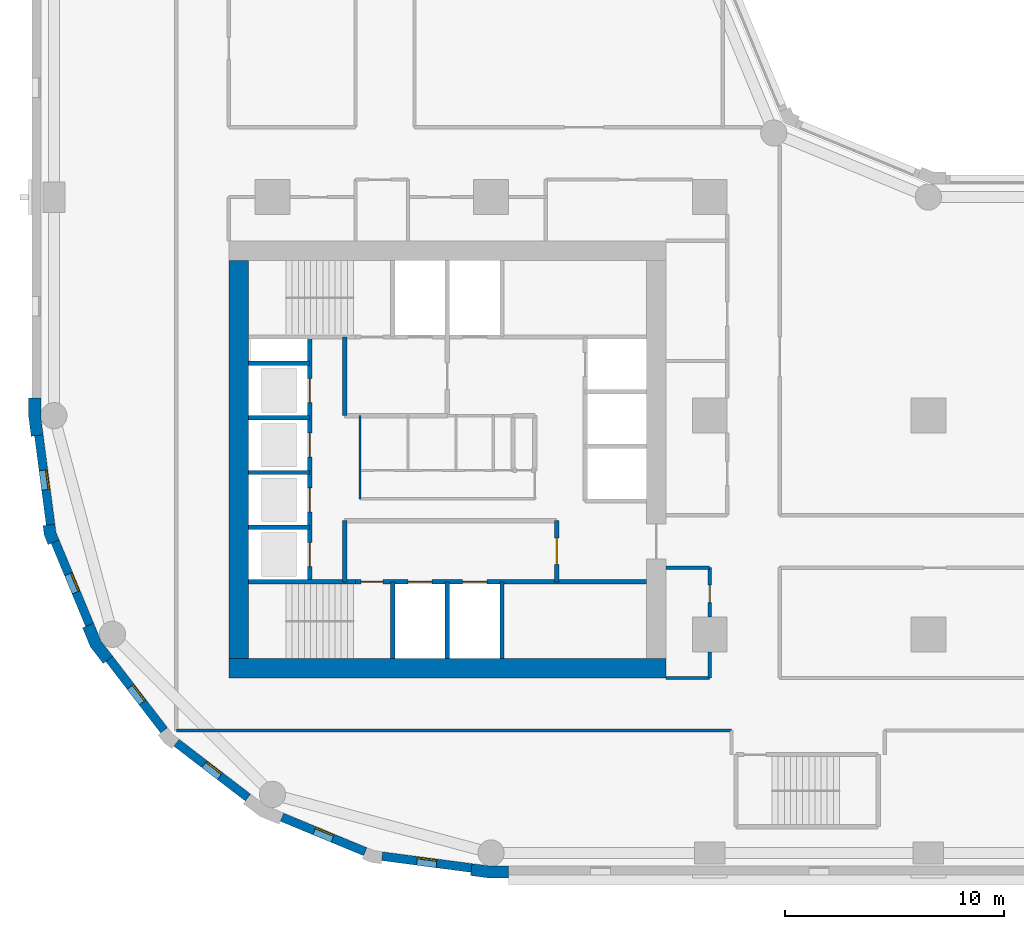
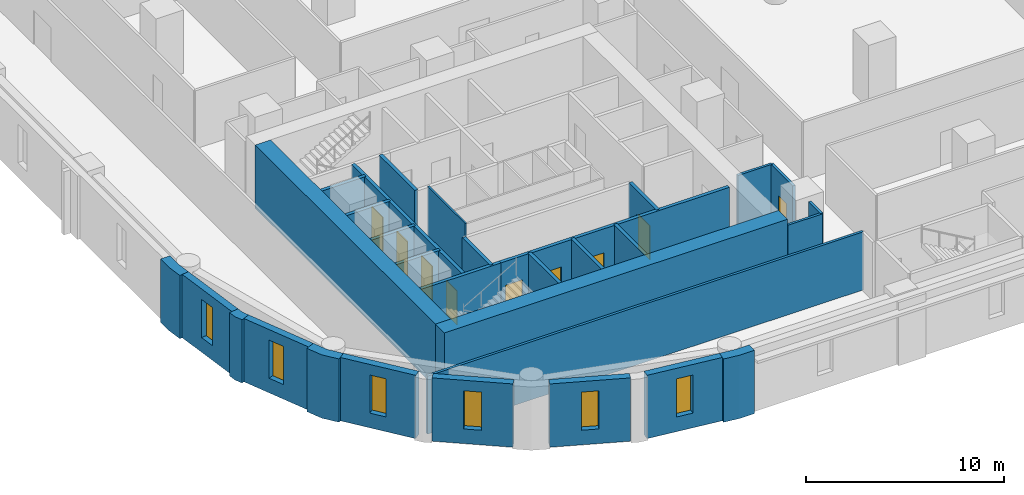
# One storey, part 2 of 10: 31 walls, 9 doors, 6 windows, 15 openings.
"""IFC4 building model written with IfcOpenShell, lengths in metres."""

import ifcopenshell
import ifcopenshell.guid

model = None  # the IFC model being written
_history = None  # IfcOwnerHistory: only IFC2X3 demands one
_inside = {}  # id of a spatial element -> (the spatial element, [elements in it])
_under = {}  # id of a project, library or spatial element -> (it, [spatial elements below it])
_declared = {}  # id of a project -> (the project, [libraries it declares])
_typed = {}  # id of a type object -> (the type object, [elements of that type])
_made_of = {}  # id of a material, layer set ... -> (it, [elements and type objects made of it])


def new_model(schema):
    """Start an empty IFC model of exactly this schema.

    Asked for "IFC4X3", IfcOpenShell would pick the latest addendum, in which some entities
    have other attributes; the version numbers below select the first issue.
    IFC2X3 requires an IfcOwnerHistory on every rooted entity: one is made here for all.
    """
    global model, _history
    if schema == "IFC4X3":
        model = ifcopenshell.file(schema_version=(4, 3, 0, 0))
    else:
        model = ifcopenshell.file(schema=schema)
    _inside.clear()
    _under.clear()
    _declared.clear()
    _typed.clear()
    _made_of.clear()
    _history = None
    if model.schema == "IFC2X3":
        org = make("IfcOrganization", Name="unknown")
        user = make(
            "IfcPersonAndOrganization",
            ThePerson=make("IfcPerson", FamilyName="unknown"),
            TheOrganization=org,
        )
        app = make(
            "IfcApplication",
            ApplicationDeveloper=org,
            Version="unknown",
            ApplicationFullName="unknown",
            ApplicationIdentifier="unknown",
        )
        _history = make(
            "IfcOwnerHistory",
            OwningUser=user,
            OwningApplication=app,
            ChangeAction="ADDED",
            CreationDate=0,
        )
    return model


def make(cls, **values):
    """One entity of the class cls with the attributes given. An attribute that is None is left unset."""
    return model.create_entity(
        cls, **{name: value for name, value in values.items() if value is not None}
    )


def rooted(cls, **values):
    """An entity with a GlobalId (a new one), such as an element, a storey or a relation."""
    return make(cls, GlobalId=ifcopenshell.guid.new(), OwnerHistory=_history, **values)


def si_unit(unit_type, name, prefix=None):
    """IfcSIUnit, for example si_unit("LENGTHUNIT", "METRE", prefix="MILLI")."""
    return make("IfcSIUnit", UnitType=unit_type, Prefix=prefix, Name=name)


def assignment(units):
    """IfcUnitAssignment: the units of a project."""
    return None if units is None else make("IfcUnitAssignment", Units=units)


def point(xyz):
    """IfcCartesianPoint."""
    return None if xyz is None else make("IfcCartesianPoint", Coordinates=xyz)


def direction(xyz):
    """IfcDirection."""
    return None if xyz is None else make("IfcDirection", DirectionRatios=xyz)


def frame(location, z_axis=None, x_axis=None):
    """IfcAxis2Placement3D, a coordinate frame: its origin and axes. An axis left out is left unset."""
    return make(
        "IfcAxis2Placement3D",
        Location=point(location),
        Axis=direction(z_axis),
        RefDirection=direction(x_axis),
    )


def frame_2d(location, x_axis=None):
    """IfcAxis2Placement2D, a coordinate frame in the plane: its origin and x axis."""
    return make(
        "IfcAxis2Placement2D", Location=point(location), RefDirection=direction(x_axis)
    )


def origin():
    """The frame at (0, 0, 0) with its axes left unset."""
    return frame((0.0, 0.0, 0.0))


def place(relative_to, where):
    """IfcLocalPlacement: puts the frame where relative to a parent placement (None: the world)."""
    return make(
        "IfcLocalPlacement", PlacementRelTo=relative_to, RelativePlacement=where
    )


def context(
    kind, dimensions, precision=None, world=None, true_north=None, identifier=None
):
    """IfcGeometricRepresentationContext, for example the 3D "Model" context."""
    return make(
        "IfcGeometricRepresentationContext",
        ContextIdentifier=identifier,
        ContextType=kind,
        CoordinateSpaceDimension=dimensions,
        Precision=precision,
        WorldCoordinateSystem=world,
        TrueNorth=true_north,
    )


def subcontext(parent, identifier, kind, view, scale=None):
    """IfcGeometricRepresentationSubContext, for example "Body" below "Model"."""
    return make(
        "IfcGeometricRepresentationSubContext",
        ContextIdentifier=identifier,
        ContextType=kind,
        ParentContext=parent,
        TargetScale=scale,
        TargetView=view,
    )


def project(units=None, contexts=None):
    """IfcProject with its units and contexts."""
    return rooted(
        "IfcProject",
        Name="project",
        RepresentationContexts=contexts,
        UnitsInContext=assignment(units),
    )


def spatial(cls, under=None, at=None, **own):
    """A site, building, storey or space (cls), placed at a placement, below another one or the project."""
    s = rooted(cls, ObjectPlacement=at, **own)
    if under is not None:
        _under.setdefault(under.id(), (under, []))[1].append(s)
    return s


def polyline(points):
    """IfcPolyline through the points."""
    return make("IfcPolyline", Points=[point(p) for p in points])


def profile(cls, at=None, kind="AREA", **sizes):
    """A parametric profile (cls). Its sizes go by their IFC names, for example OverallWidth=200.0."""
    return make(cls, ProfileType=kind, Position=at, **sizes)


def rectangle(**sizes):
    """IfcRectangleProfileDef."""
    return profile("IfcRectangleProfileDef", **sizes)


def outline(outer, holes=None, kind="AREA"):
    """IfcArbitraryClosedProfileDef: a profile drawn as a closed curve; with holes, ...WithVoids."""
    if holes is None:
        return make("IfcArbitraryClosedProfileDef", ProfileType=kind, OuterCurve=outer)
    return make(
        "IfcArbitraryProfileDefWithVoids",
        ProfileType=kind,
        OuterCurve=outer,
        InnerCurves=holes,
    )


def extrude(swept, where, along, depth):
    """IfcExtrudedAreaSolid: the profile swept, set in the frame where, extruded along a direction by depth."""
    return make(
        "IfcExtrudedAreaSolid",
        SweptArea=swept,
        Position=where,
        ExtrudedDirection=direction(along),
        Depth=depth,
    )


def shape(context_of_items, identifier, shape_type, items):
    """IfcShapeRepresentation: the items that make up one representation, for example the "Body"."""
    return make(
        "IfcShapeRepresentation",
        ContextOfItems=context_of_items,
        RepresentationIdentifier=identifier,
        RepresentationType=shape_type,
        Items=items,
    )


def material(Name=None, Category=None):
    """IfcMaterial."""
    return make("IfcMaterial", Name=Name, Category=Category)


def layer(
    of_material, thickness, ventilated=None, Name=None, Category=None, Priority=None
):
    """IfcMaterialLayer: one layer of a wall or slab, of a material (None: an air gap)."""
    return make(
        "IfcMaterialLayer",
        Material=of_material,
        LayerThickness=thickness,
        IsVentilated=ventilated,
        Name=Name,
        Category=Category,
        Priority=Priority,
    )


def layer_set(layers, Name=None):
    """IfcMaterialLayerSet."""
    return make("IfcMaterialLayerSet", MaterialLayers=layers, LayerSetName=Name)


def made_of(thing, what):
    """Note that an element or type object is made of a material, layer set ...; save() writes the relation."""
    if what is not None:
        _made_of.setdefault(what.id(), (what, []))[1].append(thing)
    return thing


def type_object(cls, material=None, **own):
    """A type object (cls), such as IfcWallType, which elements share."""
    return made_of(rooted(cls, **own), material)


def element(
    cls,
    number,
    at=None,
    inside=None,
    cuts=None,
    type_object=None,
    material=None,
    context=None,
    identifier="Body",
    shape_type=None,
    held_by="IfcProductDefinitionShape",
    body=None,
    shapes=None,
    **own,
):
    """One element of the class cls, such as IfcWall. Its Tag is "e" and its number.

    at: its placement. inside: the storey or other place that contains it. cuts: it is an
    opening in that element (IfcRelVoidsElement). A single representation is given by context,
    identifier, shape_type and body (its items); several are given by shapes. held_by: the class
    of the entity that holds the representations. save() writes the other relations.
    """
    e = rooted(cls, Tag="e%d" % number, ObjectPlacement=at, **own)
    if body is not None:
        shapes = [shape(context, identifier, shape_type, body)]
    if shapes is not None:
        e.Representation = make(held_by, Representations=shapes)
    if inside is not None:
        _inside.setdefault(inside.id(), (inside, []))[1].append(e)
    if cuts is not None:
        rooted(
            "IfcRelVoidsElement", RelatingBuildingElement=cuts, RelatedOpeningElement=e
        )
    if type_object is not None:
        _typed.setdefault(type_object.id(), (type_object, []))[1].append(e)
    return made_of(e, material)


def fill(opening, filler):
    """IfcRelFillsElement: the door or window that sits in an opening."""
    return rooted(
        "IfcRelFillsElement",
        RelatingOpeningElement=opening,
        RelatedBuildingElement=filler,
    )


def aggregate(whole, parts):
    """IfcRelAggregates: a whole, such as a stair, and the parts it consists of."""
    return rooted("IfcRelAggregates", RelatingObject=whole, RelatedObjects=parts)


def save(model, path):
    """Write the relations noted so far, then the file.

    IfcRelAggregates (storeys below a building ...), IfcRelContainedInSpatialStructure (elements
    in a storey), IfcRelDefinesByType, IfcRelAssociatesMaterial and IfcRelDeclares: one each for
    every whole, place, type object, material and project.
    """
    for whole, parts in _under.values():
        aggregate(whole, parts)
    for where, things in _inside.values():
        rooted(
            "IfcRelContainedInSpatialStructure",
            RelatedElements=things,
            RelatingStructure=where,
        )
    for kind, things in _typed.values():
        rooted("IfcRelDefinesByType", RelatedObjects=things, RelatingType=kind)
    for what, things in _made_of.values():
        rooted("IfcRelAssociatesMaterial", RelatedObjects=things, RelatingMaterial=what)
    for by, libraries in _declared.values():
        rooted("IfcRelDeclares", RelatingContext=by, RelatedDefinitions=libraries)
    model.write(path)


model = new_model("IFC4")

# Units and contexts
model_context = context("Model", 3, precision=1e-05, world=origin(), true_north=direction((0.0, 1.0)))
body_context = subcontext(model_context, "Body", "Model", "MODEL_VIEW")
ifc_project = project(units=[si_unit("LENGTHUNIT", "METRE"), si_unit("AREAUNIT", "SQUARE_METRE"), si_unit("VOLUMEUNIT", "CUBIC_METRE"), si_unit("PLANEANGLEUNIT", "RADIAN"), si_unit("MASSUNIT", "GRAM", prefix="KILO")], contexts=[model_context])

# Site, building, storey
site_placement = place(None, origin())
site = spatial("IfcSite", under=ifc_project, at=site_placement, CompositionType="ELEMENT")
building_placement = place(site_placement, origin())
building = spatial("IfcBuilding", under=site, at=building_placement, Name="Qaws Garden Tower", CompositionType="ELEMENT")
storey_placement = place(building_placement, frame((0.0, 0.0, 39.300048828125)))
storey = spatial("IfcBuildingStorey", under=building, at=storey_placement, Name="L09", CompositionType="ELEMENT", Elevation=39.300048828125)

# Wall, opening, window
ifc_material_1 = material(Name="Clay facing brick masonry", Category="masonry")
ifc_layer_1 = layer(ifc_material_1, 0.39990234375)
ifc_layer_set_1 = layer_set([ifc_layer_1], Name="Clay facing brick masonry")
wall_type_1 = type_object("IfcWallType", Name="Brick infill wall 400", PredefinedType="SOLIDWALL", material=ifc_layer_set_1)
wall_1_placement = place(storey_placement, frame((-0.688720703125, 19.102294921875, 0.0), z_axis=(0.0, 0.0, 1.0), x_axis=(0.130514280502, -0.991446429508, 0.0)))
wall_1 = element("IfcWall", 1, at=wall_1_placement, inside=storey, type_object=wall_type_1, Name="E-L09-infill-27", PredefinedType="SOLIDWALL", context=body_context, shape_type="SweptSolid", body=[
    extrude(rectangle(XDim=4.120849609375, YDim=0.39990234375, at=frame_2d((2.060546875, 0.0))), origin(), (0.0, 0.0, 1.0), 3.89990234375),
])
opening_1_placement = place(wall_1_placement, frame((1.610595703125, 0.0, 0.89990234375)))
opening_1 = element("IfcOpeningElement", 2, at=opening_1_placement, cuts=wall_1, Name="Opening W09", PredefinedType="OPENING", context=body_context, shape_type="SweptSolid", body=[
    extrude(rectangle(XDim=0.89990234375, YDim=2.35009765625, at=frame_2d((0.449951171875, 1.175048828125))), frame((0.0, 0.2099609375, 0.0), z_axis=(0.0, -1.0, 0.0), x_axis=(1.0, 0.0, 0.0)), (0.0, 0.0, 1.0), 0.419921875),
])
ifc_material_2 = material(Name="Aluminium framed window, clear glazing", Category="aluminium")
window_type = type_object("IfcWindowType", Name="Slit window 900 x 2350", PartitioningType="SINGLE_PANEL", PredefinedType="WINDOW", material=ifc_material_2)
window_1_placement = place(opening_1_placement, origin())
window_1 = element("IfcWindow", 3, at=window_1_placement, inside=storey, type_object=window_type, Name="E-L09-window-27-0", OverallHeight=2.35009765625, OverallWidth=0.89990234375, PartitioningType="SINGLE_PANEL", PredefinedType="WINDOW", context=body_context, shape_type="SweptSolid", body=[
    extrude(rectangle(XDim=0.89990234375, YDim=2.35009765625, at=frame_2d((0.449951171875, 1.175048828125))), frame((0.0, 0.159912109375, 0.0), z_axis=(0.0, -1.0, 0.0), x_axis=(1.0, 0.0, 0.0)), (0.0, 0.0, 1.0), 0.06005859375),
])
fill(opening_1, window_1)

wall_2_placement = place(storey_placement, frame((0.05712890625, 14.240234375, 0.0), z_axis=(0.0, 0.0, 1.0), x_axis=(0.382721546029, -0.923863744394, 0.0)))
wall_2 = element("IfcWall", 4, at=wall_2_placement, inside=storey, type_object=wall_type_1, Name="E-L09-infill-28", PredefinedType="SOLIDWALL", context=body_context, shape_type="SweptSolid", body=[
    extrude(rectangle(XDim=4.120849609375, YDim=0.39990234375, at=frame_2d((2.060546875, 0.0))), origin(), (0.0, 0.0, 1.0), 3.89990234375),
])
opening_2_placement = place(wall_2_placement, frame((1.610595703125, 0.0, 0.89990234375)))
opening_2 = element("IfcOpeningElement", 5, at=opening_2_placement, cuts=wall_2, Name="Opening W09", PredefinedType="OPENING", context=body_context, shape_type="SweptSolid", body=[
    extrude(rectangle(XDim=0.89990234375, YDim=2.35009765625, at=frame_2d((0.449951171875, 1.175048828125))), frame((0.0, 0.2099609375, 0.0), z_axis=(0.0, -1.0, 0.0), x_axis=(1.0, 0.0, 0.0)), (0.0, 0.0, 1.0), 0.419921875),
])
window_2_placement = place(opening_2_placement, origin())
window_2 = element("IfcWindow", 6, at=window_2_placement, inside=storey, type_object=window_type, Name="E-L09-window-28-0", OverallHeight=2.35009765625, OverallWidth=0.89990234375, PartitioningType="SINGLE_PANEL", PredefinedType="WINDOW", context=body_context, shape_type="SweptSolid", body=[
    extrude(rectangle(XDim=0.89990234375, YDim=2.35009765625, at=frame_2d((0.449951171875, 1.175048828125))), frame((0.0, 0.159912109375, 0.0), z_axis=(0.0, -1.0, 0.0), x_axis=(1.0, 0.0, 0.0)), (0.0, 0.0, 1.0), 0.06005859375),
])
fill(opening_2, window_2)

wall_3_placement = place(storey_placement, frame((2.53173828125, 8.87841796875, 0.0), z_axis=(0.0, 0.0, 1.0), x_axis=(0.608759824817, -0.793354571229, 0.0)))
wall_3 = element("IfcWall", 7, at=wall_3_placement, inside=storey, type_object=wall_type_1, Name="E-L09-infill-29", PredefinedType="SOLIDWALL", context=body_context, shape_type="SweptSolid", body=[
    extrude(rectangle(XDim=4.12109375, YDim=0.39990234375, at=frame_2d((2.060546875, 0.0))), origin(), (0.0, 0.0, 1.0), 3.89990234375),
])
opening_3_placement = place(wall_3_placement, frame((1.610595703125, 0.0, 0.89990234375)))
opening_3 = element("IfcOpeningElement", 8, at=opening_3_placement, cuts=wall_3, Name="Opening W09", PredefinedType="OPENING", context=body_context, shape_type="SweptSolid", body=[
    extrude(rectangle(XDim=0.89990234375, YDim=2.35009765625, at=frame_2d((0.449951171875, 1.175048828125))), frame((0.0, 0.2099609375, 0.0), z_axis=(0.0, -1.0, 0.0), x_axis=(1.0, 0.0, 0.0)), (0.0, 0.0, 1.0), 0.419921875),
])
window_3_placement = place(opening_3_placement, origin())
window_3 = element("IfcWindow", 9, at=window_3_placement, inside=storey, type_object=window_type, Name="E-L09-window-29-0", OverallHeight=2.35009765625, OverallWidth=0.89990234375, PartitioningType="SINGLE_PANEL", PredefinedType="WINDOW", context=body_context, shape_type="SweptSolid", body=[
    extrude(rectangle(XDim=0.89990234375, YDim=2.35009765625, at=frame_2d((0.449951171875, 1.175048828125))), frame((0.0, 0.159912109375, 0.0), z_axis=(0.0, -1.0, 0.0), x_axis=(1.0, 0.0, 0.0)), (0.0, 0.0, 1.0), 0.06005859375),
])
fill(opening_3, window_3)

wall_4_placement = place(storey_placement, frame((5.60888671875, 5.04052734375, 0.0), z_axis=(0.0, 0.0, 1.0), x_axis=(0.793354571229, -0.608759824817, 0.0)))
wall_4 = element("IfcWall", 10, at=wall_4_placement, inside=storey, type_object=wall_type_1, Name="E-L09-infill-30", PredefinedType="SOLIDWALL", context=body_context, shape_type="SweptSolid", body=[
    extrude(rectangle(XDim=4.12109375, YDim=0.39990234375, at=frame_2d((2.060546875, 0.0))), origin(), (0.0, 0.0, 1.0), 3.89990234375),
])
opening_4_placement = place(wall_4_placement, frame((1.610595703125, 0.0, 0.89990234375)))
opening_4 = element("IfcOpeningElement", 11, at=opening_4_placement, cuts=wall_4, Name="Opening W09", PredefinedType="OPENING", context=body_context, shape_type="SweptSolid", body=[
    extrude(rectangle(XDim=0.89990234375, YDim=2.35009765625, at=frame_2d((0.449951171875, 1.175048828125))), frame((0.0, 0.2099609375, 0.0), z_axis=(0.0, -1.0, 0.0), x_axis=(1.0, 0.0, 0.0)), (0.0, 0.0, 1.0), 0.419921875),
])
window_4_placement = place(opening_4_placement, origin())
window_4 = element("IfcWindow", 12, at=window_4_placement, inside=storey, type_object=window_type, Name="E-L09-window-30-0", OverallHeight=2.35009765625, OverallWidth=0.89990234375, PartitioningType="SINGLE_PANEL", PredefinedType="WINDOW", context=body_context, shape_type="SweptSolid", body=[
    extrude(rectangle(XDim=0.89990234375, YDim=2.35009765625, at=frame_2d((0.449951171875, 1.175048828125))), frame((0.0, 0.159912109375, 0.0), z_axis=(0.0, -1.0, 0.0), x_axis=(1.0, 0.0, 0.0)), (0.0, 0.0, 1.0), 0.06005859375),
])
fill(opening_4, window_4)

wall_5_placement = place(storey_placement, frame((10.43310546875, 1.63427734375, 0.0), z_axis=(0.0, 0.0, 1.0), x_axis=(0.923863744394, -0.382721546029, 0.0)))
wall_5 = element("IfcWall", 13, at=wall_5_placement, inside=storey, type_object=wall_type_1, Name="E-L09-infill-31", PredefinedType="SOLIDWALL", context=body_context, shape_type="SweptSolid", body=[
    extrude(rectangle(XDim=4.120849609375, YDim=0.39990234375, at=frame_2d((2.060546875, 0.0))), origin(), (0.0, 0.0, 1.0), 3.89990234375),
])
opening_5_placement = place(wall_5_placement, frame((1.610595703125, 0.0, 0.89990234375)))
opening_5 = element("IfcOpeningElement", 14, at=opening_5_placement, cuts=wall_5, Name="Opening W09", PredefinedType="OPENING", context=body_context, shape_type="SweptSolid", body=[
    extrude(rectangle(XDim=0.89990234375, YDim=2.35009765625, at=frame_2d((0.449951171875, 1.175048828125))), frame((0.0, 0.2099609375, 0.0), z_axis=(0.0, -1.0, 0.0), x_axis=(1.0, 0.0, 0.0)), (0.0, 0.0, 1.0), 0.419921875),
])
window_5_placement = place(opening_5_placement, origin())
window_5 = element("IfcWindow", 15, at=window_5_placement, inside=storey, type_object=window_type, Name="E-L09-window-31-0", OverallHeight=2.35009765625, OverallWidth=0.89990234375, PartitioningType="SINGLE_PANEL", PredefinedType="WINDOW", context=body_context, shape_type="SweptSolid", body=[
    extrude(rectangle(XDim=0.89990234375, YDim=2.35009765625, at=frame_2d((0.449951171875, 1.175048828125))), frame((0.0, 0.159912109375, 0.0), z_axis=(0.0, -1.0, 0.0), x_axis=(1.0, 0.0, 0.0)), (0.0, 0.0, 1.0), 0.06005859375),
])
fill(opening_5, window_5)

wall_6_placement = place(storey_placement, frame((15.0166015625, -0.15087890625, 0.0), z_axis=(0.0, 0.0, 1.0), x_axis=(0.991446429508, -0.130514280502, 0.0)))
wall_6 = element("IfcWall", 16, at=wall_6_placement, inside=storey, type_object=wall_type_1, Name="E-L09-infill-32", PredefinedType="SOLIDWALL", context=body_context, shape_type="SweptSolid", body=[
    extrude(rectangle(XDim=4.120849609375, YDim=0.39990234375, at=frame_2d((2.060546875, 0.0))), origin(), (0.0, 0.0, 1.0), 3.89990234375),
])
opening_6_placement = place(wall_6_placement, frame((1.610595703125, 0.0, 0.89990234375)))
opening_6 = element("IfcOpeningElement", 17, at=opening_6_placement, cuts=wall_6, Name="Opening W09", PredefinedType="OPENING", context=body_context, shape_type="SweptSolid", body=[
    extrude(rectangle(XDim=0.89990234375, YDim=2.35009765625, at=frame_2d((0.449951171875, 1.175048828125))), frame((0.0, 0.2099609375, 0.0), z_axis=(0.0, -1.0, 0.0), x_axis=(1.0, 0.0, 0.0)), (0.0, 0.0, 1.0), 0.419921875),
])
window_6_placement = place(opening_6_placement, origin())
window_6 = element("IfcWindow", 18, at=window_6_placement, inside=storey, type_object=window_type, Name="E-L09-window-32-0", OverallHeight=2.35009765625, OverallWidth=0.89990234375, PartitioningType="SINGLE_PANEL", PredefinedType="WINDOW", context=body_context, shape_type="SweptSolid", body=[
    extrude(rectangle(XDim=0.89990234375, YDim=2.35009765625, at=frame_2d((0.449951171875, 1.175048828125))), frame((0.0, 0.159912109375, 0.0), z_axis=(0.0, -1.0, 0.0), x_axis=(1.0, 0.0, 0.0)), (0.0, 0.0, 1.0), 0.06005859375),
])
fill(opening_6, window_6)

# Walls
ifc_material_3 = material(Name="Clay facing brick masonry", Category="masonry")
ifc_layer_2 = layer(ifc_material_3, 0.550048828125)
ifc_layer_set_2 = layer_set([ifc_layer_2], Name="Clay facing brick masonry")
wall_type_2 = type_object("IfcWallType", Name="Brick kink pier 550 x 600", PredefinedType="SOLIDWALL", material=ifc_layer_set_2)
placement = place(storey_placement, origin())
element("IfcWall", 19, at=placement, inside=storey, type_object=wall_type_2, Name="E-L09-pier-28", PredefinedType="SOLIDWALL", context=body_context, shape_type="SweptSolid", body=[
    extrude(outline(polyline([(-0.34912109375, 14.990478515625), (-0.497802734375, 14.970947265625), (-0.43896484375, 14.5234375), (-0.26611328125, 14.1064453125), (-0.127685546875, 14.163818359375), (0.241943359375, 14.31689453125), (0.096923828125, 14.6669921875), (0.04736328125, 15.042724609375), (-0.34912109375, 14.990478515625)])), origin(), (0.0, 0.0, 1.0), 3.89990234375),
])
ifc_material_4 = material(Name="Clay facing brick masonry", Category="masonry")
ifc_layer_3 = layer(ifc_material_4, 0.550048828125)
ifc_layer_set_3 = layer_set([ifc_layer_3], Name="Clay facing brick masonry")
wall_type_3 = type_object("IfcWallType", Name="Brick pier 550 x 1600", PredefinedType="SOLIDWALL", material=ifc_layer_set_3)
element("IfcWall", 20, at=placement, inside=storey, type_object=wall_type_3, Name="E-L09-pier-00", PredefinedType="SOLIDWALL", context=body_context, shape_type="SweptSolid", body=[
    extrude(outline(polyline([(19.076416015625, -0.886962890625), (19.056640625, -1.03564453125), (19.924560546875, -1.14990234375), (20.800048828125, -1.14990234375), (20.800048828125, -1.0), (20.800048828125, -0.60009765625), (19.960693359375, -0.60009765625), (19.12841796875, -0.490478515625), (19.076416015625, -0.886962890625)])), origin(), (0.0, 0.0, 1.0), 3.89990234375),
])
element("IfcWall", 21, at=placement, inside=storey, type_object=wall_type_3, Name="E-L09-pier-27", PredefinedType="SOLIDWALL", context=body_context, shape_type="SweptSolid", body=[
    extrude(outline(polyline([(-1.0, 20.800048828125), (-1.14990234375, 20.800048828125), (-1.14990234375, 19.924560546875), (-1.03564453125, 19.056640625), (-0.886962890625, 19.076416015625), (-0.490478515625, 19.12841796875), (-0.60009765625, 19.960693359375), (-0.60009765625, 20.800048828125), (-1.0, 20.800048828125)])), origin(), (0.0, 0.0, 1.0), 3.89990234375),
])
element("IfcWall", 22, at=placement, inside=storey, type_object=wall_type_3, Name="E-L09-pier-29", PredefinedType="SOLIDWALL", context=body_context, shape_type="SweptSolid", body=[
    extrude(outline(polyline([(1.449462890625, 10.3564453125), (1.310791015625, 10.299072265625), (1.675048828125, 9.419921875), (2.254150390625, 8.665283203125), (2.373046875, 8.756591796875), (2.6904296875, 9.0), (2.1552734375, 9.697509765625), (1.819091796875, 10.509521484375), (1.449462890625, 10.3564453125)])), origin(), (0.0, 0.0, 1.0), 3.89990234375),
])
ifc_material_5 = material(Name="Plasterboard")
ifc_layer_4 = layer(ifc_material_5, 0.10009765625)
ifc_layer_set_4 = layer_set([ifc_layer_4], Name="Plasterboard")
wall_type_4 = type_object("IfcWallType", Name="Core partition 100", PredefinedType="PARTITIONING", material=ifc_layer_set_4)
wall_11_placement = place(storey_placement, frame((14.0, 16.199951171875, 0.0), z_axis=(0.0, 0.0, 1.0), x_axis=(0.0, 1.0, 0.0)))
element("IfcWall", 23, at=wall_11_placement, inside=storey, type_object=wall_type_4, Name="Core partition", PredefinedType="PARTITIONING", context=body_context, shape_type="SweptSolid", body=[
    extrude(rectangle(XDim=3.800048828125, YDim=0.10009765625, at=frame_2d((1.89990234375, 0.0))), origin(), (0.0, 0.0, 1.0), 3.579833984375),
])
ifc_material_6 = material(Name="Concrete C80", Category="concrete")
ifc_layer_5 = layer(ifc_material_6, 0.199951171875)
ifc_layer_set_5 = layer_set([ifc_layer_5], Name="Concrete C80")
wall_type_5 = type_object("IfcWallType", Name="Core shaft wall 200 C80", PredefinedType="SHEAR", material=ifc_layer_set_5)
wall_12_placement = place(storey_placement, frame((8.89990234375, 12.39990234375, 0.0), z_axis=(0.0, 0.0, 1.0), x_axis=(1.0, 0.0, 0.0)))
element("IfcWall", 24, at=wall_12_placement, inside=storey, type_object=wall_type_5, Name="Shaft wall", PredefinedType="SHEAR", context=body_context, shape_type="SweptSolid", body=[
    extrude(rectangle(XDim=4.900146484375, YDim=0.199951171875, at=frame_2d((2.4501953125, 0.0))), origin(), (0.0, 0.0, 1.0), 3.579833984375),
])

# Wall, openings, doors
wall_13_placement = place(storey_placement, frame((13.800048828125, 12.39990234375, 0.0), z_axis=(0.0, 0.0, 1.0), x_axis=(1.0, 0.0, 0.0)))
wall_13 = element("IfcWall", 25, at=wall_13_placement, inside=storey, type_object=wall_type_5, Name="Shaft wall", PredefinedType="SHEAR", context=body_context, shape_type="SweptSolid", body=[
    extrude(rectangle(XDim=13.300048828125, YDim=0.199951171875, at=frame_2d((6.64990234375, 0.0))), origin(), (0.0, 0.0, 1.0), 3.579833984375),
])
opening_7_placement = place(wall_13_placement, frame((2.39990234375, 0.0, 0.0)))
opening_7 = element("IfcOpeningElement", 26, at=opening_7_placement, cuts=wall_13, Name="Opening LD06", PredefinedType="OPENING", context=body_context, shape_type="SweptSolid", body=[
    extrude(rectangle(XDim=1.10009765625, YDim=2.10009765625, at=frame_2d((0.550048828125, 1.050048828125))), frame((0.0, 0.10986328125, 0.0), z_axis=(0.0, -1.0, 0.0), x_axis=(1.0, 0.0, 0.0)), (0.0, 0.0, 1.0), 0.219970703125),
])
opening_8_placement = place(wall_13_placement, frame((4.89990234375, 0.0, 0.0)))
opening_8 = element("IfcOpeningElement", 27, at=opening_8_placement, cuts=wall_13, Name="Opening LD07", PredefinedType="OPENING", context=body_context, shape_type="SweptSolid", body=[
    extrude(rectangle(XDim=1.10009765625, YDim=2.10009765625, at=frame_2d((0.550048828125, 1.050048828125))), frame((0.0, 0.10986328125, 0.0), z_axis=(0.0, -1.0, 0.0), x_axis=(1.0, 0.0, 0.0)), (0.0, 0.0, 1.0), 0.219970703125),
])
opening_9_placement = place(wall_13_placement, frame((0.25, 0.0, 0.0)))
opening_9 = element("IfcOpeningElement", 28, at=opening_9_placement, cuts=wall_13, Name="Opening SD10", PredefinedType="OPENING", context=body_context, shape_type="SweptSolid", body=[
    extrude(rectangle(XDim=1.0, YDim=2.10009765625, at=frame_2d((0.5, 1.050048828125))), frame((0.0, 0.10986328125, 0.0), z_axis=(0.0, -1.0, 0.0), x_axis=(1.0, 0.0, 0.0)), (0.0, 0.0, 1.0), 0.219970703125),
])
ifc_material_7 = material(Name="Steel S235", Category="steel")
door_type_1 = type_object("IfcDoorType", Name="Landing door 1100x2100", OperationType="DOUBLE_DOOR_SLIDING", PredefinedType="DOOR", material=ifc_material_7)
door_1_placement = place(opening_7_placement, origin())
door_1 = element("IfcDoor", 29, at=door_1_placement, inside=storey, type_object=door_type_1, Name="Lift FF1 landing door", OperationType="DOUBLE_DOOR_SLIDING", OverallHeight=2.10009765625, OverallWidth=1.10009765625, PredefinedType="DOOR", context=body_context, shape_type="SweptSolid", body=[
    extrude(rectangle(XDim=1.10009765625, YDim=2.10009765625, at=frame_2d((0.550048828125, 1.050048828125))), frame((0.0, 0.02490234375, 0.0), z_axis=(0.0, -1.0, 0.0), x_axis=(1.0, 0.0, 0.0)), (0.0, 0.0, 1.0), 0.050048828125),
])
fill(opening_7, door_1)
door_2_placement = place(opening_8_placement, origin())
door_2 = element("IfcDoor", 30, at=door_2_placement, inside=storey, type_object=door_type_1, Name="Lift FF2 landing door", OperationType="DOUBLE_DOOR_SLIDING", OverallHeight=2.10009765625, OverallWidth=1.10009765625, PredefinedType="DOOR", context=body_context, shape_type="SweptSolid", body=[
    extrude(rectangle(XDim=1.10009765625, YDim=2.10009765625, at=frame_2d((0.550048828125, 1.050048828125))), frame((0.0, 0.02490234375, 0.0), z_axis=(0.0, -1.0, 0.0), x_axis=(1.0, 0.0, 0.0)), (0.0, 0.0, 1.0), 0.050048828125),
])
fill(opening_8, door_2)
ifc_material_8 = material(Name="Steel S235", Category="steel")
door_type_2 = type_object("IfcDoorType", Name="Stair door 1000x2100", OperationType="SINGLE_SWING_RIGHT", PredefinedType="DOOR", material=ifc_material_8)
door_3_placement = place(opening_9_placement, frame((1.0, 0.0, 0.0), z_axis=(0.0, 0.0, 1.0), x_axis=(-1.0, 0.0, 0.0)))
door_3 = element("IfcDoor", 31, at=door_3_placement, inside=storey, type_object=door_type_2, Name="Stair 1 door", OperationType="SINGLE_SWING_LEFT", OverallHeight=2.10009765625, OverallWidth=1.0, PredefinedType="DOOR", context=body_context, shape_type="SweptSolid", body=[
    extrude(rectangle(XDim=1.0, YDim=2.10009765625, at=frame_2d((0.5, 1.050048828125))), frame((0.0, 0.02490234375, 0.0), z_axis=(0.0, -1.0, 0.0), x_axis=(1.0, 0.0, 0.0)), (0.0, 0.0, 1.0), 0.050048828125),
])
fill(opening_9, door_3)

# Walls
for number, where, z_axis, x_axis, name in (
    (32, (8.89990234375, 14.89990234375, 0.0), (0.0, 0.0, 1.0), (1.0, 0.0, 0.0), "Shaft wall"),
    (33, (8.89990234375, 17.39990234375, 0.0), (0.0, 0.0, 1.0), (1.0, 0.0, 0.0), "Shaft wall"),
    (34, (8.89990234375, 19.89990234375, 0.0), (0.0, 0.0, 1.0), (1.0, 0.0, 0.0), "Shaft wall"),
    (35, (8.89990234375, 22.39990234375, 0.0), (0.0, 0.0, 1.0), (1.0, 0.0, 0.0), "Shaft wall"),
):
    element("IfcWall", number, at=place(storey_placement, frame(where, z_axis=z_axis, x_axis=x_axis)), inside=storey, type_object=wall_type_5, Name=name, PredefinedType="SHEAR", context=body_context, shape_type="SweptSolid", body=[
        extrude(rectangle(XDim=2.800048828125, YDim=0.199951171875, at=frame_2d((1.39990234375, 0.0))), origin(), (0.0, 0.0, 1.0), 3.579833984375),
    ])

# Wall, openings, doors
wall_14_placement = place(storey_placement, frame((11.699951171875, 12.39990234375, 0.0), z_axis=(0.0, 0.0, 1.0), x_axis=(0.0, 1.0, 0.0)))
wall_14 = element("IfcWall", 36, at=wall_14_placement, inside=storey, type_object=wall_type_5, Name="Shaft wall", PredefinedType="SHEAR", context=body_context, shape_type="SweptSolid", body=[
    extrude(rectangle(XDim=11.2001953125, YDim=0.199951171875, at=frame_2d((5.60009765625, 0.0))), origin(), (0.0, 0.0, 1.0), 3.579833984375),
])
opening_10_placement = place(wall_14_placement, frame((0.699951171875, 0.0, 0.0)))
opening_10 = element("IfcOpeningElement", 37, at=opening_10_placement, cuts=wall_14, Name="Opening LD01", PredefinedType="OPENING", context=body_context, shape_type="SweptSolid", body=[
    extrude(rectangle(XDim=1.10009765625, YDim=2.10009765625, at=frame_2d((0.550048828125, 1.050048828125))), frame((0.0, 0.10986328125, 0.0), z_axis=(0.0, -1.0, 0.0), x_axis=(1.0, 0.0, 0.0)), (0.0, 0.0, 1.0), 0.219970703125),
])
opening_11_placement = place(wall_14_placement, frame((3.199951171875, 0.0, 0.0)))
opening_11 = element("IfcOpeningElement", 38, at=opening_11_placement, cuts=wall_14, Name="Opening LD02", PredefinedType="OPENING", context=body_context, shape_type="SweptSolid", body=[
    extrude(rectangle(XDim=1.10009765625, YDim=2.10009765625, at=frame_2d((0.550048828125, 1.050048828125))), frame((0.0, 0.10986328125, 0.0), z_axis=(0.0, -1.0, 0.0), x_axis=(1.0, 0.0, 0.0)), (0.0, 0.0, 1.0), 0.219970703125),
])
opening_12_placement = place(wall_14_placement, frame((5.699951171875, 0.0, 0.0)))
opening_12 = element("IfcOpeningElement", 39, at=opening_12_placement, cuts=wall_14, Name="Opening LD03", PredefinedType="OPENING", context=body_context, shape_type="SweptSolid", body=[
    extrude(rectangle(XDim=1.10009765625, YDim=2.10009765625, at=frame_2d((0.550048828125, 1.050048828125))), frame((0.0, 0.10986328125, 0.0), z_axis=(0.0, -1.0, 0.0), x_axis=(1.0, 0.0, 0.0)), (0.0, 0.0, 1.0), 0.219970703125),
])
opening_13_placement = place(wall_14_placement, frame((8.199951171875, 0.0, 0.0)))
opening_13 = element("IfcOpeningElement", 40, at=opening_13_placement, cuts=wall_14, Name="Opening LD04", PredefinedType="OPENING", context=body_context, shape_type="SweptSolid", body=[
    extrude(rectangle(XDim=1.10009765625, YDim=2.10009765625, at=frame_2d((0.550048828125, 1.050048828125))), frame((0.0, 0.10986328125, 0.0), z_axis=(0.0, -1.0, 0.0), x_axis=(1.0, 0.0, 0.0)), (0.0, 0.0, 1.0), 0.219970703125),
])
door_4_placement = place(opening_10_placement, origin())
door_4 = element("IfcDoor", 41, at=door_4_placement, inside=storey, type_object=door_type_1, Name="Lift W1 landing door", OperationType="DOUBLE_DOOR_SLIDING", OverallHeight=2.10009765625, OverallWidth=1.10009765625, PredefinedType="DOOR", context=body_context, shape_type="SweptSolid", body=[
    extrude(rectangle(XDim=1.10009765625, YDim=2.10009765625, at=frame_2d((0.550048828125, 1.050048828125))), frame((0.0, 0.02490234375, 0.0), z_axis=(0.0, -1.0, 0.0), x_axis=(1.0, 0.0, 0.0)), (0.0, 0.0, 1.0), 0.050048828125),
])
fill(opening_10, door_4)
door_5_placement = place(opening_11_placement, origin())
door_5 = element("IfcDoor", 42, at=door_5_placement, inside=storey, type_object=door_type_1, Name="Lift W2 landing door", OperationType="DOUBLE_DOOR_SLIDING", OverallHeight=2.10009765625, OverallWidth=1.10009765625, PredefinedType="DOOR", context=body_context, shape_type="SweptSolid", body=[
    extrude(rectangle(XDim=1.10009765625, YDim=2.10009765625, at=frame_2d((0.550048828125, 1.050048828125))), frame((0.0, 0.02490234375, 0.0), z_axis=(0.0, -1.0, 0.0), x_axis=(1.0, 0.0, 0.0)), (0.0, 0.0, 1.0), 0.050048828125),
])
fill(opening_11, door_5)
door_6_placement = place(opening_12_placement, origin())
door_6 = element("IfcDoor", 43, at=door_6_placement, inside=storey, type_object=door_type_1, Name="Lift W3 landing door", OperationType="DOUBLE_DOOR_SLIDING", OverallHeight=2.10009765625, OverallWidth=1.10009765625, PredefinedType="DOOR", context=body_context, shape_type="SweptSolid", body=[
    extrude(rectangle(XDim=1.10009765625, YDim=2.10009765625, at=frame_2d((0.550048828125, 1.050048828125))), frame((0.0, 0.02490234375, 0.0), z_axis=(0.0, -1.0, 0.0), x_axis=(1.0, 0.0, 0.0)), (0.0, 0.0, 1.0), 0.050048828125),
])
fill(opening_12, door_6)
door_7_placement = place(opening_13_placement, origin())
door_7 = element("IfcDoor", 44, at=door_7_placement, inside=storey, type_object=door_type_1, Name="Lift W4 landing door", OperationType="DOUBLE_DOOR_SLIDING", OverallHeight=2.10009765625, OverallWidth=1.10009765625, PredefinedType="DOOR", context=body_context, shape_type="SweptSolid", body=[
    extrude(rectangle(XDim=1.10009765625, YDim=2.10009765625, at=frame_2d((0.550048828125, 1.050048828125))), frame((0.0, 0.02490234375, 0.0), z_axis=(0.0, -1.0, 0.0), x_axis=(1.0, 0.0, 0.0)), (0.0, 0.0, 1.0), 0.050048828125),
])
fill(opening_13, door_7)

# Walls
wall_15_placement = place(storey_placement, frame((13.300048828125, 12.39990234375, 0.0), z_axis=(0.0, 0.0, 1.0), x_axis=(0.0, 1.0, 0.0)))
element("IfcWall", 45, at=wall_15_placement, inside=storey, type_object=wall_type_5, Name="Shaft wall", PredefinedType="SHEAR", context=body_context, shape_type="SweptSolid", body=[
    extrude(rectangle(XDim=2.800048828125, YDim=0.199951171875, at=frame_2d((1.39990234375, 0.0))), origin(), (0.0, 0.0, 1.0), 3.579833984375),
])
wall_16_placement = place(storey_placement, frame((13.300048828125, 20.0, 0.0), z_axis=(0.0, 0.0, 1.0), x_axis=(0.0, 1.0, 0.0)))
element("IfcWall", 46, at=wall_16_placement, inside=storey, type_object=wall_type_5, Name="Shaft wall", PredefinedType="SHEAR", context=body_context, shape_type="SweptSolid", body=[
    extrude(rectangle(XDim=3.60009765625, YDim=0.199951171875, at=frame_2d((1.800048828125, 0.0))), origin(), (0.0, 0.0, 1.0), 3.579833984375),
])
for number, where, z_axis, x_axis, name in (
    (47, (15.5, 8.89990234375, 0.0), (0.0, 0.0, 1.0), (0.0, 1.0, 0.0), "Shaft wall"),
    (48, (18.0, 8.89990234375, 0.0), (0.0, 0.0, 1.0), (0.0, 1.0, 0.0), "Shaft wall"),
    (49, (20.5, 8.89990234375, 0.0), (0.0, 0.0, 1.0), (0.0, 1.0, 0.0), "Shaft wall"),
):
    element("IfcWall", number, at=place(storey_placement, frame(where, z_axis=z_axis, x_axis=x_axis)), inside=storey, type_object=wall_type_5, Name=name, PredefinedType="SHEAR", context=body_context, shape_type="SweptSolid", body=[
        extrude(rectangle(XDim=3.5, YDim=0.199951171875, at=frame_2d((1.75, 0.0))), origin(), (0.0, 0.0, 1.0), 3.579833984375),
    ])

# Wall, opening, door
wall_17_placement = place(storey_placement, frame((23.0, 12.39990234375, 0.0), z_axis=(0.0, 0.0, 1.0), x_axis=(0.0, 1.0, 0.0)))
wall_17 = element("IfcWall", 50, at=wall_17_placement, inside=storey, type_object=wall_type_5, Name="Shaft wall", PredefinedType="SHEAR", context=body_context, shape_type="SweptSolid", body=[
    extrude(rectangle(XDim=2.800048828125, YDim=0.199951171875, at=frame_2d((1.39990234375, 0.0))), origin(), (0.0, 0.0, 1.0), 3.579833984375),
])
opening_14_placement = place(wall_17_placement, frame((0.800048828125, 0.0, 0.0)))
opening_14 = element("IfcOpeningElement", 51, at=opening_14_placement, cuts=wall_17, Name="Opening FD15", PredefinedType="OPENING", context=body_context, shape_type="SweptSolid", body=[
    extrude(rectangle(XDim=1.199951171875, YDim=2.10009765625, at=frame_2d((0.60009765625, 1.050048828125))), frame((0.0, 0.10986328125, 0.0), z_axis=(0.0, -1.0, 0.0), x_axis=(1.0, 0.0, 0.0)), (0.0, 0.0, 1.0), 0.219970703125),
])
ifc_material_9 = material(Name="Steel S235", Category="steel")
door_type_3 = type_object("IfcDoorType", Name="Lobby door 1200x2100", OperationType="DOUBLE_DOOR_SINGLE_SWING", PredefinedType="DOOR", material=ifc_material_9)
door_8_placement = place(opening_14_placement, origin())
door_8 = element("IfcDoor", 52, at=door_8_placement, inside=storey, type_object=door_type_3, Name="Fire-fighting lobby door", OperationType="DOUBLE_DOOR_SINGLE_SWING", OverallHeight=2.10009765625, OverallWidth=1.199951171875, PredefinedType="DOOR", context=body_context, shape_type="SweptSolid", body=[
    extrude(rectangle(XDim=1.199951171875, YDim=2.10009765625, at=frame_2d((0.60009765625, 1.050048828125))), frame((0.0, 0.02490234375, 0.0), z_axis=(0.0, -1.0, 0.0), x_axis=(1.0, 0.0, 0.0)), (0.0, 0.0, 1.0), 0.050048828125),
])
fill(opening_14, door_8)

# Walls
ifc_material_10 = material(Name="Concrete C80", Category="concrete")
ifc_layer_6 = layer(ifc_material_10, 0.89990234375)
ifc_layer_set_6 = layer_set([ifc_layer_6], Name="Concrete C80")
wall_type_6 = type_object("IfcWallType", Name="Core wall 900 C80", PredefinedType="SHEAR", material=ifc_layer_set_6)
wall_18_placement = place(storey_placement, frame((8.0, 8.449951171875, 0.0), z_axis=(0.0, 0.0, 1.0), x_axis=(1.0, 0.0, 0.0)))
element("IfcWall", 53, at=wall_18_placement, inside=storey, type_object=wall_type_6, Name="Core wall L09 south", PredefinedType="SHEAR", context=body_context, shape_type="SweptSolid", body=[
    extrude(rectangle(XDim=20.0, YDim=0.89990234375, at=frame_2d((10.0, 0.0))), origin(), (0.0, 0.0, 1.0), 3.89990234375),
])
wall_19_placement = place(storey_placement, frame((8.449951171875, 27.10009765625, 0.0), z_axis=(0.0, 0.0, 1.0), x_axis=(0.0, -1.0, 0.0)))
element("IfcWall", 54, at=wall_19_placement, inside=storey, type_object=wall_type_6, Name="Core wall L09 west", PredefinedType="SHEAR", context=body_context, shape_type="SweptSolid", body=[
    extrude(rectangle(XDim=18.2001953125, YDim=0.89990234375, at=frame_2d((9.10009765625, 0.0))), origin(), (0.0, 0.0, 1.0), 3.89990234375),
])
ifc_material_11 = material(Name="Gypsum board partition")
ifc_layer_7 = layer(ifc_material_11, 0.14990234375)
ifc_layer_set_7 = layer_set([ifc_layer_7], Name="Gypsum board partition")
wall_type_7 = type_object("IfcWallType", Name="PARTITION 150 EI 60", PredefinedType="PARTITIONING", material=ifc_layer_set_7)
wall_20_placement = place(storey_placement, frame((30.0, 8.0, 0.0), z_axis=(0.0, 0.0, 1.0), x_axis=(0.0, 1.0, 0.0)))
element("IfcWall", 55, at=wall_20_placement, inside=storey, type_object=wall_type_7, Name="O-L09-wall-013", PredefinedType="PARTITIONING", context=body_context, shape_type="SweptSolid", body=[
    extrude(rectangle(XDim=1.199951171875, YDim=0.14990234375, at=frame_2d((0.60009765625, 0.0))), origin(), (0.0, 0.0, 1.0), 3.579833984375),
])

# Wall, opening, door
wall_21_placement = place(storey_placement, frame((30.0, 10.800048828125, 0.0), z_axis=(0.0, 0.0, 1.0), x_axis=(0.0, 1.0, 0.0)))
wall_21 = element("IfcWall", 56, at=wall_21_placement, inside=storey, type_object=wall_type_7, Name="O-L09-wall-014", PredefinedType="PARTITIONING", context=body_context, shape_type="SweptSolid", body=[
    extrude(rectangle(XDim=2.25, YDim=0.14990234375, at=frame_2d((1.125, 0.0))), origin(), (0.0, 0.0, 1.0), 3.579833984375),
])
opening_15_placement = place(wall_21_placement, frame((0.64990234375, 0.0, 0.0)))
opening_15 = element("IfcOpeningElement", 57, at=opening_15_placement, cuts=wall_21, Name="Opening A317", PredefinedType="OPENING", context=body_context, shape_type="SweptSolid", body=[
    extrude(rectangle(XDim=0.800048828125, YDim=2.10009765625, at=frame_2d((0.39990234375, 1.050048828125))), frame((0.0, 0.0849609375, 0.0), z_axis=(0.0, -1.0, 0.0), x_axis=(1.0, 0.0, 0.0)), (0.0, 0.0, 1.0), 0.169921875),
])
ifc_material_12 = material(Name="Timber door leaf", Category="wood")
door_type_4 = type_object("IfcDoorType", Name="STORE DOOR 800 X 2100", OperationType="SINGLE_SWING_LEFT", PredefinedType="DOOR", material=ifc_material_12)
door_9_placement = place(opening_15_placement, origin())
door_9 = element("IfcDoor", 58, at=door_9_placement, inside=storey, type_object=door_type_4, Name="O-L09-door-017", OperationType="SINGLE_SWING_LEFT", OverallHeight=2.10009765625, OverallWidth=0.800048828125, PredefinedType="DOOR", context=body_context, shape_type="SweptSolid", body=[
    extrude(rectangle(XDim=0.800048828125, YDim=2.10009765625, at=frame_2d((0.39990234375, 1.050048828125))), frame((0.0, 0.02490234375, 0.0), z_axis=(0.0, -1.0, 0.0), x_axis=(1.0, 0.0, 0.0)), (0.0, 0.0, 1.0), 0.050048828125),
])
fill(opening_15, door_9)

# Walls
wall_22_placement = place(storey_placement, frame((5.60009765625, 5.60009765625, 0.0), z_axis=(0.0, 0.0, 1.0), x_axis=(1.0, 0.0, 0.0)))
element("IfcWall", 59, at=wall_22_placement, inside=storey, type_object=wall_type_7, Name="O-L09-wall-031", PredefinedType="PARTITIONING", context=body_context, shape_type="SweptSolid", body=[
    extrude(rectangle(XDim=25.39990234375, YDim=0.14990234375, at=frame_2d((12.699951171875, 0.0))), origin(), (0.0, 0.0, 1.0), 3.579833984375),
])
for number, where, z_axis, x_axis, name in (
    (60, (28.0, 8.0, 0.0), (0.0, 0.0, 1.0), (1.0, 0.0, 0.0), "O-L09-wall-033"),
    (61, (28.0, 13.050048828125, 0.0), (0.0, 0.0, 1.0), (1.0, 0.0, 0.0), "O-L09-wall-035"),
):
    element("IfcWall", number, at=place(storey_placement, frame(where, z_axis=z_axis, x_axis=x_axis)), inside=storey, type_object=wall_type_7, Name=name, PredefinedType="PARTITIONING", context=body_context, shape_type="SweptSolid", body=[
        extrude(rectangle(XDim=2.0, YDim=0.14990234375, at=frame_2d((1.0, 0.0))), origin(), (0.0, 0.0, 1.0), 3.579833984375),
    ])

save(model, "model.ifc")
